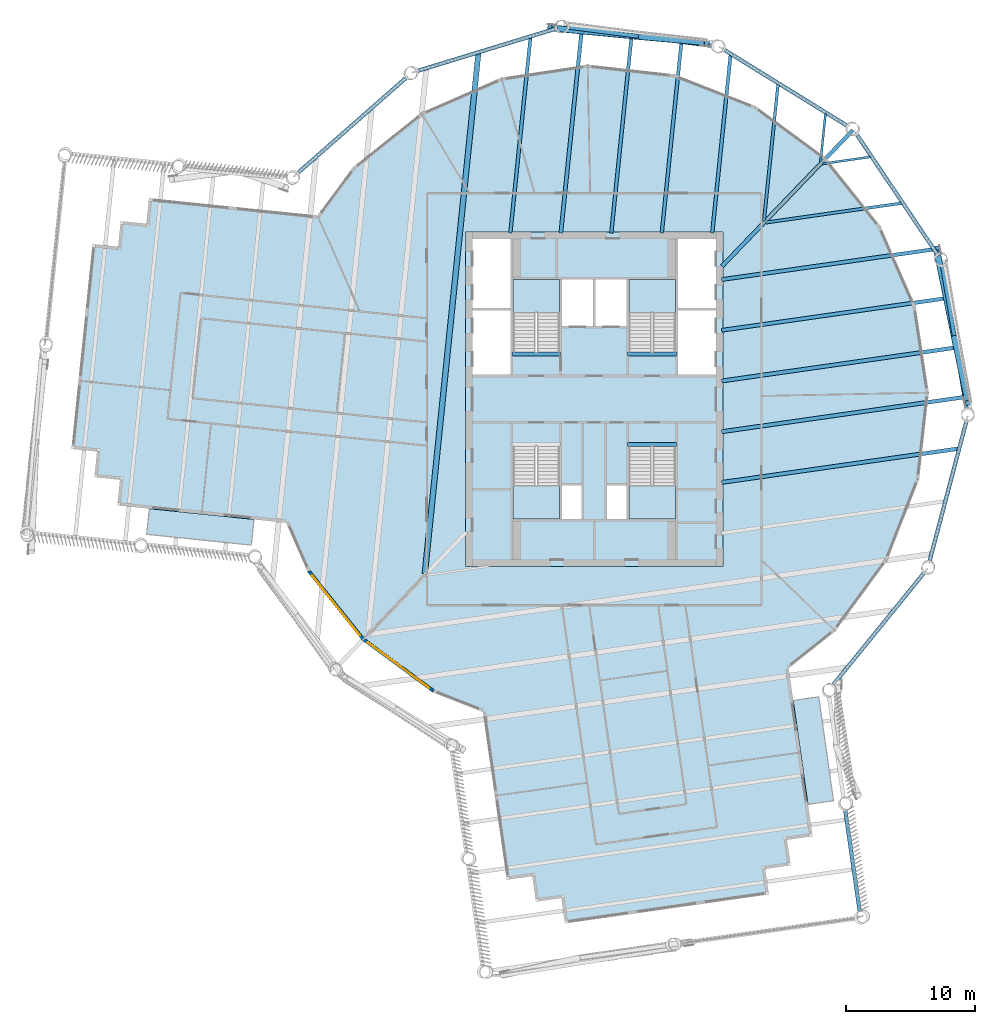
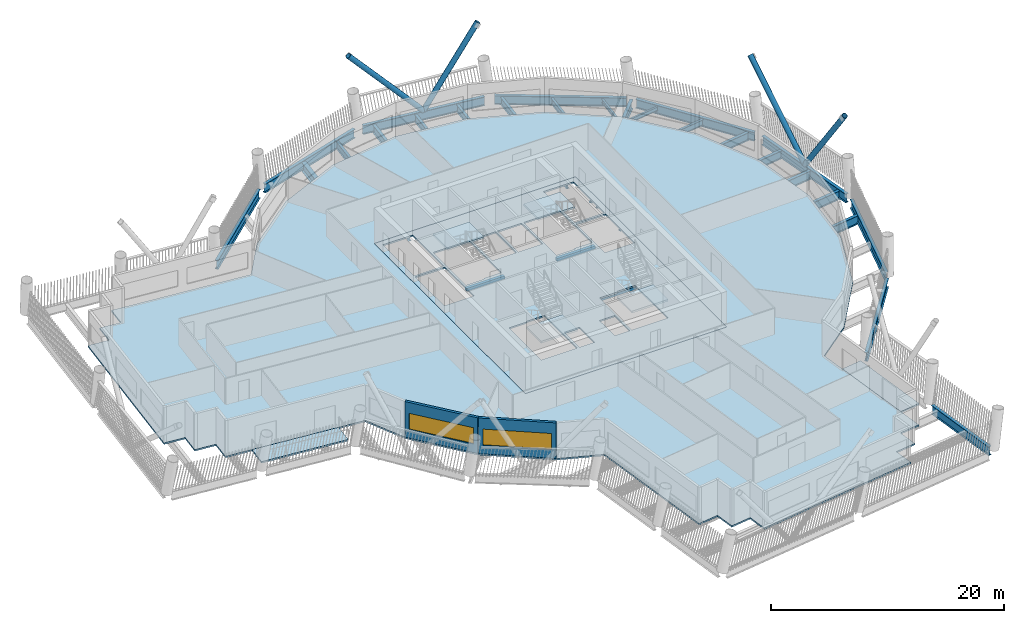
# One storey, part 2 of 22: 28 beams, 8 slabs, 4 members, 2 walls, 2 windows, 2 openings, 4 elements without a shape of their own.
"""IFC4 building model written with IfcOpenShell, lengths in metres."""

from ifc_helpers import new_model, si_unit, direction, frame, frame_2d, origin, origin_2d, place, context, subcontext, project, spatial, polyline, rectangle, hollow_circle, i_section, outline, extrude, material, layer, layer_set, material_profile, profile_set, type_object, element, fill, aggregate, save


model = new_model("IFC4")

# Units and contexts
model_context = context("Model", 3, precision=1e-05, world=origin(), true_north=direction((0.0, 1.0)))
body_context = subcontext(model_context, "Body", "Model", "MODEL_VIEW")
ifc_project = project(units=[si_unit("LENGTHUNIT", "METRE"), si_unit("AREAUNIT", "SQUARE_METRE"), si_unit("VOLUMEUNIT", "CUBIC_METRE"), si_unit("PLANEANGLEUNIT", "RADIAN"), si_unit("MASSUNIT", "GRAM", prefix="KILO")], contexts=[model_context])

# Site, building, storey
site_placement = place(None, origin())
site = spatial("IfcSite", under=ifc_project, at=site_placement, CompositionType="ELEMENT")
building_placement = place(site_placement, origin())
building = spatial("IfcBuilding", under=site, at=building_placement, Name="Tarsis Ring Headquarters", CompositionType="ELEMENT")
storey_placement = place(building_placement, frame((0.0, 0.0, 263.0)))
storey = spatial("IfcBuildingStorey", under=building, at=storey_placement, Name="L61", CompositionType="ELEMENT", Elevation=263.0)

# Beams
ifc_material_1 = material(Name="Structural steel S355", Category="steel")
ifc_material_profile_1 = material_profile(ifc_material_1, i_section(OverallWidth=0.177734375, OverallDepth=0.406494140625, WebThickness=0.0078125, FlangeThickness=0.0126953125, at=origin_2d()), Name="W16x40")
ifc_profile_set_1 = profile_set([ifc_material_profile_1], Name="Structural steel S355")
beam_type_1 = type_object("IfcBeamType", Name="FB Floor beam W16x40", PredefinedType="JOIST", material=ifc_profile_set_1)
for number, where, z_axis, x_axis, name in (
    (1, (17.713623046875, 18.285400390625, -0.36328125), (0.989978985412, 0.141214760006, 0.0), (-0.141214760006, 0.989978985412, 0.0), "Floor beam FB1"),
    (2, (17.96875, 22.199951171875, -0.36328125), (-0.102400045474, -0.99474329889, 0.0), (0.99474329889, -0.102400045474, 0.0), "Floor beam FB1"),
):
    element("IfcBeam", number, at=place(storey_placement, frame(where, z_axis=z_axis, x_axis=x_axis)), inside=storey, type_object=beam_type_1, Name=name, PredefinedType="JOIST", context=body_context, shape_type="SweptSolid", body=[
        extrude(i_section(OverallWidth=0.177734375, OverallDepth=0.406494140625, WebThickness=0.0078125, FlangeThickness=0.0126953125, at=origin_2d()), origin(), (0.0, 0.0, 1.0), 3.80517578125),
    ])
ifc_material_profile_2 = material_profile(ifc_material_1, i_section(OverallWidth=0.228271484375, OverallDepth=0.607177734375, WebThickness=0.01123046875, FlangeThickness=0.017333984375, at=origin_2d()), Name="W24x76")
ifc_profile_set_2 = profile_set([ifc_material_profile_2], Name="Structural steel S355")
beam_type_2 = type_object("IfcBeamType", Name="FB Floor beam W24x76", PredefinedType="JOIST", material=ifc_profile_set_2)
beam_1_placement = place(storey_placement, frame((13.32275390625, 13.71923828125, -0.463623046875), z_axis=(0.989973243065, 0.141255010586, 0.0), x_axis=(-0.141255010586, 0.989973243065, 0.0)))
element("IfcBeam", 3, at=beam_1_placement, inside=storey, type_object=beam_type_2, Name="Floor beam FB4", PredefinedType="JOIST", context=body_context, shape_type="SweptSolid", body=[
    extrude(i_section(OverallWidth=0.228271484375, OverallDepth=0.607177734375, WebThickness=0.01123046875, FlangeThickness=0.017333984375, at=origin_2d()), origin(), (0.0, 0.0, 1.0), 10.684814453125),
])
beam_2_placement = place(storey_placement, frame((14.28271484375, 24.477294921875, -0.463623046875), z_axis=(-0.1024352906, -0.994739670084, 0.0), x_axis=(0.994739670084, -0.1024352906, 0.0)))
element("IfcBeam", 4, at=beam_2_placement, inside=storey, type_object=beam_type_2, Name="Floor beam FB4", PredefinedType="JOIST", context=body_context, shape_type="SweptSolid", body=[
    extrude(i_section(OverallWidth=0.228271484375, OverallDepth=0.607177734375, WebThickness=0.01123046875, FlangeThickness=0.017333984375, at=origin_2d()), origin(), (0.0, 0.0, 1.0), 10.6845703125),
])
ifc_material_profile_3 = material_profile(ifc_material_1, i_section(OverallWidth=0.2666015625, OverallDepth=0.7568359375, WebThickness=0.013916015625, FlangeThickness=0.019287109375, at=origin_2d()), Name="W30x108")
ifc_profile_set_3 = profile_set([ifc_material_profile_3], Name="Structural steel S355")
beam_type_3 = type_object("IfcBeamType", Name="FB Floor beam W30x108", PredefinedType="JOIST", material=ifc_profile_set_3)
beam_3_placement = place(storey_placement, frame((10.5966796875, 26.754638671875, -0.538330078125), z_axis=(-0.102443410029, -0.994738833937, 0.0), x_axis=(0.994738833937, -0.102443410029, 0.0)))
element("IfcBeam", 5, at=beam_3_placement, inside=storey, type_object=beam_type_3, Name="Floor beam FB6", PredefinedType="JOIST", context=body_context, shape_type="SweptSolid", body=[
    extrude(i_section(OverallWidth=0.2666015625, OverallDepth=0.7568359375, WebThickness=0.013916015625, FlangeThickness=0.019287109375, at=origin_2d()), origin(), (0.0, 0.0, 1.0), 13.92724609375),
])
beam_4_placement = place(storey_placement, frame((6.7734375, 27.70068359375, -0.538330078125), z_axis=(-0.102442309559, -0.994738947268, 0.0), x_axis=(0.994738947268, -0.102442309559, 0.0)))
element("IfcBeam", 6, at=beam_4_placement, inside=storey, type_object=beam_type_3, Name="Floor beam FB6", PredefinedType="JOIST", context=body_context, shape_type="SweptSolid", body=[
    extrude(i_section(OverallWidth=0.2666015625, OverallDepth=0.7568359375, WebThickness=0.013916015625, FlangeThickness=0.019287109375, at=origin_2d()), origin(), (0.0, 0.0, 1.0), 14.87841796875),
])
beam_5_placement = place(storey_placement, frame((2.904296875, 28.200927734375, -0.538330078125), z_axis=(-0.1024420826, -0.994738970641, 0.0), x_axis=(0.994738970641, -0.1024420826, 0.0)))
element("IfcBeam", 7, at=beam_5_placement, inside=storey, type_object=beam_type_3, Name="Floor beam FB6", PredefinedType="JOIST", context=body_context, shape_type="SweptSolid", body=[
    extrude(i_section(OverallWidth=0.2666015625, OverallDepth=0.7568359375, WebThickness=0.013916015625, FlangeThickness=0.019287109375, at=origin_2d()), origin(), (0.0, 0.0, 1.0), 15.381103515625),
])
beam_6_placement = place(storey_placement, frame((-4.94580078125, 28.11376953125, -0.538330078125), z_axis=(-0.102454170456, -0.994737725713, 0.0), x_axis=(0.994737725713, -0.102454170456, 0.0)))
element("IfcBeam", 8, at=beam_6_placement, inside=storey, type_object=beam_type_3, Name="Floor beam FB6", PredefinedType="JOIST", context=body_context, shape_type="SweptSolid", body=[
    extrude(i_section(OverallWidth=0.2666015625, OverallDepth=0.7568359375, WebThickness=0.013916015625, FlangeThickness=0.019287109375, at=origin_2d()), origin(), (0.0, 0.0, 1.0), 15.293701171875),
])
ifc_material_profile_4 = material_profile(ifc_material_1, i_section(OverallWidth=0.2919921875, OverallDepth=0.835693359375, WebThickness=0.013916015625, FlangeThickness=0.018798828125, at=origin_2d()), Name="W33x118")
ifc_profile_set_4 = profile_set([ifc_material_profile_4], Name="Structural steel S355")
beam_type_4 = type_object("IfcBeamType", Name="FB Floor beam W33x118", PredefinedType="JOIST", material=ifc_profile_set_4)
beam_7_placement = place(storey_placement, frame((9.901123046875, 9.291748046875, -0.577880859375), z_axis=(0.989975090888, 0.141242059672, 0.0), x_axis=(-0.141242059672, 0.989975090888, 0.0)))
element("IfcBeam", 9, at=beam_7_placement, inside=storey, type_object=beam_type_4, Name="Floor beam FB7", PredefinedType="JOIST", context=body_context, shape_type="SweptSolid", body=[
    extrude(i_section(OverallWidth=0.2919921875, OverallDepth=0.835693359375, WebThickness=0.013916015625, FlangeThickness=0.018798828125, at=origin_2d()), origin(), (0.0, 0.0, 1.0), 16.585205078125),
])
beam_8_placement = place(storey_placement, frame((9.901123046875, 5.35205078125, -0.577880859375), z_axis=(0.98997266473, 0.141259063736, 0.0), x_axis=(-0.141259063736, 0.98997266473, 0.0)))
element("IfcBeam", 10, at=beam_8_placement, inside=storey, type_object=beam_type_4, Name="Floor beam FB7", PredefinedType="JOIST", context=body_context, shape_type="SweptSolid", body=[
    extrude(i_section(OverallWidth=0.2919921875, OverallDepth=0.835693359375, WebThickness=0.013916015625, FlangeThickness=0.018798828125, at=origin_2d()), origin(), (0.0, 0.0, 1.0), 17.691162109375),
])
beam_9_placement = place(storey_placement, frame((-0.96484375, 28.701171875, -0.577880859375), z_axis=(-0.102441870011, -0.994738992535, 0.0), x_axis=(0.994738992535, -0.102441870011, 0.0)))
element("IfcBeam", 11, at=beam_9_placement, inside=storey, type_object=beam_type_4, Name="Floor beam FB7", PredefinedType="JOIST", context=body_context, shape_type="SweptSolid", body=[
    extrude(i_section(OverallWidth=0.2919921875, OverallDepth=0.835693359375, WebThickness=0.013916015625, FlangeThickness=0.018798828125, at=origin_2d()), origin(), (0.0, 0.0, 1.0), 15.884033203125),
])
ifc_material_profile_5 = material_profile(ifc_material_1, i_section(OverallWidth=0.3046875, OverallDepth=0.904296875, WebThickness=0.01513671875, FlangeThickness=0.02001953125, at=origin_2d()), Name="W36x135")
ifc_profile_set_5 = profile_set([ifc_material_profile_5], Name="Structural steel S355")
beam_type_5 = type_object("IfcBeamType", Name="FB Floor beam W36x135", PredefinedType="JOIST", material=ifc_profile_set_5)
beam_10_placement = place(storey_placement, frame((9.901123046875, 1.41259765625, -0.612060546875), z_axis=(0.98997369527, 0.14125184131, 0.0), x_axis=(-0.14125184131, 0.98997369527, 0.0)))
element("IfcBeam", 12, at=beam_10_placement, inside=storey, type_object=beam_type_5, Name="Floor beam FB8", PredefinedType="JOIST", context=body_context, shape_type="SweptSolid", body=[
    extrude(i_section(OverallWidth=0.3046875, OverallDepth=0.904296875, WebThickness=0.01513671875, FlangeThickness=0.02001953125, at=origin_2d()), origin(), (0.0, 0.0, 1.0), 18.348876953125),
])
beam_11_placement = place(storey_placement, frame((9.901123046875, -2.52685546875, -0.612060546875), z_axis=(0.989974654441, 0.141245118726, 0.0), x_axis=(-0.141245118726, 0.989974654441, 0.0)))
element("IfcBeam", 13, at=beam_11_placement, inside=storey, type_object=beam_type_5, Name="Floor beam FB8", PredefinedType="JOIST", context=body_context, shape_type="SweptSolid", body=[
    extrude(i_section(OverallWidth=0.3046875, OverallDepth=0.904296875, WebThickness=0.01513671875, FlangeThickness=0.02001953125, at=origin_2d()), origin(), (0.0, 0.0, 1.0), 19.00634765625),
])
beam_12_placement = place(storey_placement, frame((9.901123046875, -6.46630859375, -0.612060546875), z_axis=(0.98997445666, 0.141246504951, 0.0), x_axis=(-0.141246504951, 0.98997445666, 0.0)))
element("IfcBeam", 14, at=beam_12_placement, inside=storey, type_object=beam_type_5, Name="Floor beam FB8", PredefinedType="JOIST", context=body_context, shape_type="SweptSolid", body=[
    extrude(i_section(OverallWidth=0.3046875, OverallDepth=0.904296875, WebThickness=0.01513671875, FlangeThickness=0.02001953125, at=origin_2d()), origin(), (0.0, 0.0, 1.0), 18.57080078125),
])
ifc_material_profile_6 = material_profile(ifc_material_1, i_section(OverallWidth=0.309814453125, OverallDepth=0.949951171875, WebThickness=0.0244140625, FlangeThickness=0.0439453125, at=origin_2d()), Name="W36x256")
ifc_profile_set_6 = profile_set([ifc_material_profile_6], Name="Structural steel S355")
beam_type_6 = type_object("IfcBeamType", Name="FB Floor beam W36x256 spine", PredefinedType="BEAM", material=ifc_profile_set_6)
beam_13_placement = place(storey_placement, frame((20.094482421875, 20.895751953125, -0.635009765625), z_axis=(-0.693152304212, -0.720791150865, 0.0), x_axis=(0.720791150865, -0.693152304212, 0.0)))
element("IfcBeam", 15, at=beam_13_placement, inside=storey, type_object=beam_type_6, Name="Floor beam SB11", PredefinedType="BEAM", context=body_context, shape_type="SweptSolid", body=[
    extrude(i_section(OverallWidth=0.309814453125, OverallDepth=0.949951171875, WebThickness=0.0244140625, FlangeThickness=0.0439453125, at=origin_2d()), origin(), (0.0, 0.0, 1.0), 14.6630859375),
])
ifc_material_profile_7 = material_profile(ifc_material_1, i_section(OverallWidth=0.42431640625, OverallDepth=0.947509765625, WebThickness=0.02392578125, FlangeThickness=0.042724609375, at=origin_2d()), Name="W36x302")
ifc_profile_set_7 = profile_set([ifc_material_profile_7], Name="Structural steel S355")
beam_type_7 = type_object("IfcBeamType", Name="FB Floor beam W36x302", PredefinedType="JOIST", material=ifc_profile_set_7)
beam_14_placement = place(storey_placement, frame((-8.993896484375, 26.8779296875, -0.6337890625), z_axis=(-0.102441045462, -0.994739077449, 0.0), x_axis=(0.994739077449, -0.102441045462, 0.0)))
element("IfcBeam", 16, at=beam_14_placement, inside=storey, type_object=beam_type_7, Name="Floor beam FB12", PredefinedType="JOIST", context=body_context, shape_type="SweptSolid", body=[
    extrude(i_section(OverallWidth=0.42431640625, OverallDepth=0.947509765625, WebThickness=0.02392578125, FlangeThickness=0.042724609375, at=origin_2d()), origin(), (0.0, 0.0, 1.0), 40.638916015625),
])
ifc_material_2 = material(Name="Concrete C40/50", Category="concrete")
ifc_material_profile_8 = material_profile(ifc_material_2, rectangle(XDim=0.300048828125, YDim=0.300048828125, at=origin_2d()), Name="Stair head beam 300x300 C40/50")
ifc_profile_set_8 = profile_set([ifc_material_profile_8], Name="Concrete C40/50")
beam_type_8 = type_object("IfcBeamType", Name="Stair head beam 300x300 C40/50", PredefinedType="BEAM", material=ifc_profile_set_8)
for number, where, z_axis, x_axis, name in (
    (17, (-6.39990234375, 3.510009765625, -0.31005859375), (1.0, 0.0, 0.0), (0.0, 1.0, 0.0), "Stair head beam L61 Firefighting stair"),
    (18, (2.60009765625, 3.510009765625, -0.31005859375), (1.0, 0.0, 0.0), (0.0, 1.0, 0.0), "Stair head beam L61 Exit stair B"),
    (19, (2.60009765625, -3.510009765625, -0.31005859375), (1.0, 0.0, 0.0), (0.0, 1.0, 0.0), "Stair head beam L61 Exit stair D"),
):
    element("IfcBeam", number, at=place(storey_placement, frame(where, z_axis=z_axis, x_axis=x_axis)), inside=storey, type_object=beam_type_8, Name=name, PredefinedType="BEAM", context=body_context, shape_type="SweptSolid", body=[
        extrude(rectangle(XDim=0.300048828125, YDim=0.300048828125, at=origin_2d()), origin(), (0.0, 0.0, 1.0), 3.7998046875),
    ])

# Members
ifc_material_profile_9 = material_profile(ifc_material_1, hollow_circle(Radius=0.25390625, WallThickness=0.02001953125, at=origin_2d()), Name="CHS 508x20")
ifc_profile_set_9 = profile_set([ifc_material_profile_9], Name="Structural steel S355")
member_type = type_object("IfcMemberType", Name="XD X brace CHS 508x20", PredefinedType="BRACE", material=ifc_profile_set_9)
member_1_placement = place(storey_placement, frame((27.997314453125, 4.738525390625, 0.0), z_axis=(-0.133979948008, 0.660488307726, 0.738785874857), x_axis=(-0.980039890993, -0.19880093577, 0.0)))
element("IfcMember", 20, at=member_1_placement, inside=storey, type_object=member_type, Name="X brace XD2", PredefinedType="BRACE", context=body_context, shape_type="SweptSolid", body=[
    extrude(hollow_circle(Radius=0.25390625, WallThickness=0.02001953125, at=origin_2d()), origin(), (0.0, 0.0, 1.0), 10.557861328125),
])
member_2_placement = place(storey_placement, frame((27.997314453125, 4.738525390625, 0.0), z_axis=(0.112426568337, -0.538131076633, 0.835329402747), x_axis=(0.978865521071, 0.20450499177, 0.0)))
element("IfcMember", 21, at=member_2_placement, inside=storey, type_object=member_type, Name="X brace XD2", PredefinedType="BRACE", context=body_context, shape_type="SweptSolid", body=[
    extrude(hollow_circle(Radius=0.25390625, WallThickness=0.02001953125, at=origin_2d()), origin(), (0.0, 0.0, 1.0), 9.337646484375),
])
member_3_placement = place(storey_placement, frame((3.640625, 28.1611328125, 0.0), z_axis=(-0.670826865965, 0.064677791937, 0.738788264071), x_axis=(-0.095969999404, -0.995384226927, 0.0)))
element("IfcMember", 22, at=member_3_placement, inside=storey, type_object=member_type, Name="X brace XD2", PredefinedType="BRACE", context=body_context, shape_type="SweptSolid", body=[
    extrude(hollow_circle(Radius=0.25390625, WallThickness=0.02001953125, at=origin_2d()), origin(), (0.0, 0.0, 1.0), 10.557861328125),
])
member_4_placement = place(storey_placement, frame((3.640625, 28.1611328125, 0.0), z_axis=(0.547515222033, -0.049572076834, 0.835326098503), x_axis=(0.09017125339, 0.995926274913, 0.0)))
element("IfcMember", 23, at=member_4_placement, inside=storey, type_object=member_type, Name="X brace XD2", PredefinedType="BRACE", context=body_context, shape_type="SweptSolid", body=[
    extrude(hollow_circle(Radius=0.25390625, WallThickness=0.02001953125, at=origin_2d()), origin(), (0.0, 0.0, 1.0), 9.337646484375),
])

# Beams
ifc_material_profile_10 = material_profile(ifc_material_1, i_section(OverallWidth=0.309814453125, OverallDepth=0.93212890625, WebThickness=0.02099609375, FlangeThickness=0.034423828125, at=origin_2d()), Name="W36x210")
ifc_profile_set_10 = profile_set([ifc_material_profile_10], Name="Structural steel S355")
beam_type_9 = type_object("IfcBeamType", Name="XG Ring girder W36x210", PredefinedType="BEAM", material=ifc_profile_set_10)
beam_15_placement = place(storey_placement, frame((20.63232421875, -39.827880859375, -0.466064453125), z_axis=(-0.141237357065, 0.989975761809, 0.0), x_axis=(-0.989975761809, -0.141237357065, 0.0)))
element("IfcBeam", 24, at=beam_15_placement, inside=storey, type_object=beam_type_9, Name="Ring girder XG3", PredefinedType="BEAM", context=body_context, shape_type="SweptSolid", body=[
    extrude(i_section(OverallWidth=0.309814453125, OverallDepth=0.93212890625, WebThickness=0.02099609375, FlangeThickness=0.034423828125, at=origin_2d()), origin(), (0.0, 0.0, 1.0), 7.98779296875),
])
for number, where, z_axis, x_axis, name in (
    (25, (18.470458984375, -22.299560546875, -0.466064453125), (0.630378522622, 0.776287909359, 0.0), (-0.776287909359, 0.630378522622, 0.0), "Ring girder XG3"),
    (26, (26.02001953125, -12.703857421875, -0.466064453125), (0.254361826888, 0.967109125705, 0.0), (-0.967109125705, 0.254361826888, 0.0), "Ring girder XG3"),
    (27, (28.943115234375, -0.84912109375, -0.466064453125), (-0.166867968294, 0.985979249861, 0.0), (-0.985979249861, -0.166867968294, 0.0), "Ring girder XG3"),
    (28, (26.719970703125, 11.15625, -0.466064453125), (-0.558442504997, 0.829543228899, 0.0), (-0.829543228899, -0.558442504997, 0.0), "Ring girder XG3"),
    (29, (19.74609375, 21.17822265625, -0.466064453125), (-0.850726613574, 0.525608436916, 0.0), (-0.525608436916, -0.850726613574, 0.0), "Ring girder XG3"),
):
    element("IfcBeam", number, at=place(storey_placement, frame(where, z_axis=z_axis, x_axis=x_axis)), inside=storey, type_object=beam_type_9, Name=name, PredefinedType="BEAM", context=body_context, shape_type="SweptSolid", body=[
        extrude(i_section(OverallWidth=0.309814453125, OverallDepth=0.93212890625, WebThickness=0.02099609375, FlangeThickness=0.034423828125, at=origin_2d()), origin(), (0.0, 0.0, 1.0), 11.33447265625),
    ])
beam_16_placement = place(storey_placement, frame((9.260986328125, 27.4345703125, -0.466064453125), z_axis=(-0.991747501894, 0.128206444795, 0.0), x_axis=(-0.128206444795, -0.991747501894, 0.0)))
element("IfcBeam", 30, at=beam_16_placement, inside=storey, type_object=beam_type_9, Name="Ring girder XG3", PredefinedType="BEAM", context=body_context, shape_type="SweptSolid", body=[
    extrude(i_section(OverallWidth=0.309814453125, OverallDepth=0.93212890625, WebThickness=0.02099609375, FlangeThickness=0.034423828125, at=origin_2d()), origin(), (0.0, 0.0, 1.0), 11.334228515625),
])
beam_17_placement = place(storey_placement, frame((-2.87060546875, 28.81298828125, -0.466064453125), z_axis=(-0.956427285093, -0.291970629224, 0.0), x_axis=(0.291970629224, -0.956427285093, 0.0)))
element("IfcBeam", 31, at=beam_17_placement, inside=storey, type_object=beam_type_9, Name="Ring girder XG3", PredefinedType="BEAM", context=body_context, shape_type="SweptSolid", body=[
    extrude(i_section(OverallWidth=0.309814453125, OverallDepth=0.93212890625, WebThickness=0.02099609375, FlangeThickness=0.034423828125, at=origin_2d()), origin(), (0.0, 0.0, 1.0), 11.33447265625),
])
beam_18_placement = place(storey_placement, frame((-14.49169921875, 25.068115234375, -0.466064453125), z_axis=(-0.751053549873, -0.660241293183, 0.0), x_axis=(0.660241293183, -0.751053549873, 0.0)))
element("IfcBeam", 32, at=beam_18_placement, inside=storey, type_object=beam_type_9, Name="Ring girder XG3", PredefinedType="BEAM", context=body_context, shape_type="SweptSolid", body=[
    extrude(i_section(OverallWidth=0.309814453125, OverallDepth=0.93212890625, WebThickness=0.02099609375, FlangeThickness=0.034423828125, at=origin_2d()), origin(), (0.0, 0.0, 1.0), 11.334228515625),
])

# Slabs
ifc_layer_1 = layer(ifc_material_2, 0.159912109375)
ifc_layer_set_1 = layer_set([ifc_layer_1], Name="Balcony slab concrete C40/50")
slab_type_1 = type_object("IfcSlabType", Name="Balcony slab concrete C40/50", PredefinedType="FLOOR", material=ifc_layer_set_1)
slab_1_placement = place(storey_placement, frame((0.0, 0.0, -0.159912109375)))
element("IfcSlab", 33, at=slab_1_placement, inside=storey, type_object=slab_type_1, Name="Balcony slab L61-01", PredefinedType="FLOOR", context=body_context, shape_type="SweptSolid", body=[
    extrude(outline(polyline([(-34.552978515625, -8.5048828125), (-34.758056640625, -10.494384765625), (-26.62890625, -11.33154296875), (-26.424072265625, -9.342041015625), (-34.552978515625, -8.5048828125)])), origin(), (0.0, 0.0, 1.0), 0.159912109375),
])
slab_2_placement = place(storey_placement, frame((0.0, 0.0, -0.159912109375)))
element("IfcSlab", 34, at=slab_2_placement, inside=storey, type_object=slab_type_1, Name="Balcony slab L61-16", PredefinedType="FLOOR", context=body_context, shape_type="SweptSolid", body=[
    extrude(outline(polyline([(16.611572265625, -31.46923828125), (18.59130859375, -31.186767578125), (17.440185546875, -23.1171875), (15.460205078125, -23.399658203125), (16.611572265625, -31.46923828125)])), origin(), (0.0, 0.0, 1.0), 0.159912109375),
])
ifc_layer_2 = layer(ifc_material_2, 0.159912109375)
ifc_layer_set_2 = layer_set([ifc_layer_2], Name="Core floor slab 160 C40/50")
slab_type_2 = type_object("IfcSlabType", Name="Core floor slab 160 C40/50", PredefinedType="FLOOR", material=ifc_layer_set_2)
slab_3_placement = place(storey_placement, frame((0.0, 0.0, -0.159912109375)))
element("IfcSlab", 35, at=slab_3_placement, inside=storey, type_object=slab_type_2, Name="L61 core floor slab", PredefinedType="FLOOR", context=body_context, shape_type="SweptSolid", body=[
    extrude(outline(polyline([(-10.0, -13.0), (10.0, -13.0), (10.0, 13.0), (-10.0, 13.0), (-10.0, -13.0)]), holes=[polyline([(-2.5, 5.699951171875), (-0.10009765625, 5.699951171875), (-0.10009765625, 9.300048828125), (-2.5, 9.300048828125), (-2.5, 5.699951171875)]), polyline([(0.10009765625, 5.699951171875), (2.5, 5.699951171875), (2.5, 9.300048828125), (0.10009765625, 9.300048828125), (0.10009765625, 5.699951171875)]), polyline([(-9.449951171875, 1.89990234375), (-6.5, 1.89990234375), (-6.5, 6.89990234375), (-9.449951171875, 6.89990234375), (-9.449951171875, 1.89990234375)]), polyline([(-9.449951171875, 7.10009765625), (-6.5, 7.10009765625), (-6.5, 12.449951171875), (-9.449951171875, 12.449951171875), (-9.449951171875, 7.10009765625)]), polyline([(6.5, 1.89990234375), (9.449951171875, 1.89990234375), (9.449951171875, 6.89990234375), (6.5, 6.89990234375), (6.5, 1.89990234375)]), polyline([(6.5, 7.10009765625), (9.449951171875, 7.10009765625), (9.449951171875, 12.449951171875), (6.5, 12.449951171875), (6.5, 7.10009765625)]), polyline([(-2.5, -9.300048828125), (-1.0, -9.300048828125), (-1.0, -6.699951171875), (-2.5, -6.699951171875), (-2.5, -9.300048828125)]), polyline([(1.0, -9.300048828125), (2.5, -9.300048828125), (2.5, -6.699951171875), (1.0, -6.699951171875), (1.0, -9.300048828125)]), polyline([(-2.699951171875, 3.760009765625), (-2.699951171875, 9.300048828125), (-6.300048828125, 9.300048828125), (-6.300048828125, 3.659912109375), (-4.4599609375, 3.659912109375), (-4.4599609375, 3.760009765625), (-2.699951171875, 3.760009765625)]), polyline([(6.300048828125, 3.760009765625), (6.300048828125, 9.300048828125), (2.699951171875, 9.300048828125), (2.699951171875, 3.659912109375), (4.5400390625, 3.659912109375), (4.5400390625, 3.760009765625), (6.300048828125, 3.760009765625)]), polyline([(-6.300048828125, -3.760009765625), (-6.300048828125, -9.300048828125), (-2.699951171875, -9.300048828125), (-2.699951171875, -3.659912109375), (-4.5400390625, -3.659912109375), (-4.5400390625, -3.760009765625), (-6.300048828125, -3.760009765625)]), polyline([(2.699951171875, -3.760009765625), (2.699951171875, -9.300048828125), (6.300048828125, -9.300048828125), (6.300048828125, -3.659912109375), (4.4599609375, -3.659912109375), (4.4599609375, -3.760009765625), (2.699951171875, -3.760009765625)])]), origin(), (0.0, 0.0, 1.0), 0.159912109375),
])

# Stair, slab
ifc_material_3 = material(Name="Core stair 1760")
stair_type = type_object("IfcStairType", Name="Core stair 1760", PredefinedType="HALF_TURN_STAIR", material=ifc_material_3)
stair_1_placement = place(storey_placement, origin())
stair_1 = element("IfcStair", 36, at=stair_1_placement, inside=storey, type_object=stair_type, Name="L61 Firefighting stair", PredefinedType="HALF_TURN_STAIR")
ifc_layer_3 = layer(ifc_material_2, 0.199951171875)
ifc_layer_set_3 = layer_set([ifc_layer_3], Name="Core stair landing 200")
slab_type_3 = type_object("IfcSlabType", Name="Core stair landing 200", PredefinedType="LANDING", material=ifc_layer_set_3)
slab_4_placement = place(storey_placement, frame((0.0, 0.0, 1.75)))
slab_4 = element("IfcSlab", 37, at=slab_4_placement, type_object=slab_type_3, Name="Stair ST1 landing 1", PredefinedType="LANDING", context=body_context, shape_type="SweptSolid", body=[
    extrude(outline(polyline([(-2.699951171875, 6.739990234375), (-2.699951171875, 9.300048828125), (-6.300048828125, 9.300048828125), (-6.300048828125, 6.739990234375), (-2.699951171875, 6.739990234375)])), origin(), (0.0, 0.0, 1.0), 0.199951171875),
])
aggregate(stair_1, [slab_4])

stair_2_placement = place(storey_placement, origin())
stair_2 = element("IfcStair", 38, at=stair_2_placement, inside=storey, type_object=stair_type, Name="L61 Exit stair B", PredefinedType="HALF_TURN_STAIR")
slab_5_placement = place(storey_placement, frame((0.0, 0.0, 1.75)))
slab_5 = element("IfcSlab", 39, at=slab_5_placement, type_object=slab_type_3, Name="Stair ST2 landing 1", PredefinedType="LANDING", context=body_context, shape_type="SweptSolid", body=[
    extrude(outline(polyline([(6.300048828125, 6.739990234375), (6.300048828125, 9.300048828125), (2.699951171875, 9.300048828125), (2.699951171875, 6.739990234375), (6.300048828125, 6.739990234375)])), origin(), (0.0, 0.0, 1.0), 0.199951171875),
])
aggregate(stair_2, [slab_5])

stair_3_placement = place(storey_placement, origin())
stair_3 = element("IfcStair", 40, at=stair_3_placement, inside=storey, type_object=stair_type, Name="L61 Exit stair C", PredefinedType="HALF_TURN_STAIR")
slab_6_placement = place(storey_placement, frame((0.0, 0.0, 1.75)))
slab_6 = element("IfcSlab", 41, at=slab_6_placement, type_object=slab_type_3, Name="Stair ST3 landing 1", PredefinedType="LANDING", context=body_context, shape_type="SweptSolid", body=[
    extrude(outline(polyline([(-6.300048828125, -6.739990234375), (-6.300048828125, -9.300048828125), (-2.699951171875, -9.300048828125), (-2.699951171875, -6.739990234375), (-6.300048828125, -6.739990234375)])), origin(), (0.0, 0.0, 1.0), 0.199951171875),
])
aggregate(stair_3, [slab_6])

stair_4_placement = place(storey_placement, origin())
stair_4 = element("IfcStair", 42, at=stair_4_placement, inside=storey, type_object=stair_type, Name="L61 Exit stair D", PredefinedType="HALF_TURN_STAIR")
slab_7_placement = place(storey_placement, frame((0.0, 0.0, 1.75)))
slab_7 = element("IfcSlab", 43, at=slab_7_placement, type_object=slab_type_3, Name="Stair ST4 landing 1", PredefinedType="LANDING", context=body_context, shape_type="SweptSolid", body=[
    extrude(outline(polyline([(2.699951171875, -6.739990234375), (2.699951171875, -9.300048828125), (6.300048828125, -9.300048828125), (6.300048828125, -6.739990234375), (2.699951171875, -6.739990234375)])), origin(), (0.0, 0.0, 1.0), 0.199951171875),
])
aggregate(stair_4, [slab_7])

# Slab
ifc_material_4 = material(Name="Concrete C35/45", Category="concrete")
ifc_layer_4 = layer(ifc_material_4, 0.159912109375)
ifc_layer_set_4 = layer_set([ifc_layer_4], Name="FS Composite floor slab 160")
slab_type_4 = type_object("IfcSlabType", Name="FS Composite floor slab 160", PredefinedType="FLOOR", material=ifc_layer_set_4)
slab_8_placement = place(storey_placement, frame((0.0, 0.0, -0.159912109375)))
element("IfcSlab", 44, at=slab_8_placement, inside=storey, type_object=slab_type_4, Name="Floor slab L61", PredefinedType="FLOOR", context=body_context, shape_type="SweptSolid", body=[
    extrude(outline(polyline([(-23.937255859375, -9.59814453125), (-22.25830078125, -13.437744140625), (-18.02197265625, -18.74072265625), (-12.557373046875, -22.766357421875), (-8.6552734375, -24.294189453125), (-6.794921875, -37.333984375), (-4.81494140625, -37.051513671875), (-4.532470703125, -39.031494140625), (-2.552490234375, -38.7490234375), (-2.27001953125, -40.72900390625), (13.569580078125, -38.468994140625), (13.287109375, -36.489013671875), (15.26708984375, -36.20654296875), (14.984619140625, -34.2265625), (16.964599609375, -33.944091796875), (15.10693359375, -20.924560546875), (18.74072265625, -18.02197265625), (22.766357421875, -12.557373046875), (25.24072265625, -6.237060546875), (25.9951171875, 0.50830078125), (24.977783203125, 7.218994140625), (22.25830078125, 13.437744140625), (18.02197265625, 18.74072265625), (12.557373046875, 22.766357421875), (6.237060546875, 25.24072265625), (-0.50830078125, 25.9951171875), (-7.218994140625, 24.977783203125), (-13.437744140625, 22.25830078125), (-18.74072265625, 18.02197265625), (-21.4990234375, 14.277587890625), (-34.581298828125, 15.625), (-34.7861328125, 13.635498046875), (-36.775634765625, 13.84033203125), (-36.98046875, 11.850830078125), (-38.969970703125, 12.0556640625), (-40.609130859375, -3.860107421875), (-38.61962890625, -4.06494140625), (-38.824462890625, -6.054443359375), (-36.8349609375, -6.25927734375), (-37.0400390625, -8.248779296875), (-23.937255859375, -9.59814453125)]), holes=[polyline([(-10.0, -13.0), (-10.0, 13.0), (10.0, 13.0), (10.0, -13.0), (-10.0, -13.0)])]), origin(), (0.0, 0.0, 1.0), 0.159912109375),
])

# Wall, opening, window
ifc_material_5 = material(Name="Terracotta clad insulated panel wall", Category="masonry")
ifc_layer_5 = layer(ifc_material_5, 0.25)
ifc_layer_set_5 = layer_set([ifc_layer_5], Name="Facade wall terracotta panel 250")
wall_type = type_object("IfcWallType", Name="Facade wall terracotta panel 250", PredefinedType="STANDARD", material=ifc_layer_set_5)
wall_1_placement = place(storey_placement, frame((-22.14013671875, -13.38525390625, 0.0), z_axis=(0.0, 0.0, 1.0), x_axis=(0.624145643721, -0.781308015717, 0.0)))
wall_1 = element("IfcWall", 45, at=wall_1_placement, inside=storey, type_object=wall_type, Name="External wall L61-03", PredefinedType="STANDARD", context=body_context, shape_type="SweptSolid", body=[
    extrude(rectangle(XDim=6.7216796875, YDim=0.25, at=frame_2d((3.36083984375, 0.0))), origin(), (0.0, 0.0, 1.0), 3.739990234375),
])
opening_1_placement = place(wall_1_placement, frame((0.3857421875, 0.0, 0.89990234375)))
opening_1 = element("IfcOpeningElement", 46, at=opening_1_placement, cuts=wall_1, Name="Opening WN07", PredefinedType="OPENING", context=body_context, shape_type="SweptSolid", body=[
    extrude(rectangle(XDim=5.949951171875, YDim=1.699951171875, at=frame_2d((2.97509765625, 0.85009765625))), frame((0.0, 0.135009765625, 0.0), z_axis=(0.0, -1.0, 0.0), x_axis=(1.0, 0.0, 0.0)), (0.0, 0.0, 1.0), 0.27001953125),
])
ifc_material_6 = material(Name="Aluminium framed double glazing", Category="aluminium")
window_type = type_object("IfcWindowType", Name="Facade window 5950 x 1700", PartitioningType="SINGLE_PANEL", PredefinedType="WINDOW", material=ifc_material_6)
window_1_placement = place(opening_1_placement, origin())
window_1 = element("IfcWindow", 47, at=window_1_placement, inside=storey, type_object=window_type, Name="Window L61-03.1", OverallHeight=1.699951171875, OverallWidth=5.949951171875, PartitioningType="SINGLE_PANEL", PredefinedType="WINDOW", context=body_context, shape_type="SweptSolid", body=[
    extrude(rectangle(XDim=5.949951171875, YDim=1.699951171875, at=frame_2d((2.97509765625, 0.85009765625))), frame((0.0, 0.030029296875, 0.0), z_axis=(0.0, -1.0, 0.0), x_axis=(1.0, 0.0, 0.0)), (0.0, 0.0, 1.0), 0.06005859375),
])
fill(opening_1, window_1)

wall_2_placement = place(storey_placement, frame((-17.92138671875, -18.659423828125, 0.0), z_axis=(0.0, 0.0, 1.0), x_axis=(0.805105132865, -0.593132131177, 0.0)))
wall_2 = element("IfcWall", 48, at=wall_2_placement, inside=storey, type_object=wall_type, Name="External wall L61-04", PredefinedType="STANDARD", context=body_context, shape_type="SweptSolid", body=[
    extrude(rectangle(XDim=6.7216796875, YDim=0.25, at=frame_2d((3.36083984375, 0.0))), origin(), (0.0, 0.0, 1.0), 3.739990234375),
])
opening_2_placement = place(wall_2_placement, frame((0.3857421875, 0.0, 0.89990234375)))
opening_2 = element("IfcOpeningElement", 49, at=opening_2_placement, cuts=wall_2, Name="Opening WN07", PredefinedType="OPENING", context=body_context, shape_type="SweptSolid", body=[
    extrude(rectangle(XDim=5.949951171875, YDim=1.699951171875, at=frame_2d((2.97509765625, 0.85009765625))), frame((0.0, 0.135009765625, 0.0), z_axis=(0.0, -1.0, 0.0), x_axis=(1.0, 0.0, 0.0)), (0.0, 0.0, 1.0), 0.27001953125),
])
window_2_placement = place(opening_2_placement, origin())
window_2 = element("IfcWindow", 50, at=window_2_placement, inside=storey, type_object=window_type, Name="Window L61-04.1", OverallHeight=1.699951171875, OverallWidth=5.949951171875, PartitioningType="SINGLE_PANEL", PredefinedType="WINDOW", context=body_context, shape_type="SweptSolid", body=[
    extrude(rectangle(XDim=5.949951171875, YDim=1.699951171875, at=frame_2d((2.97509765625, 0.85009765625))), frame((0.0, 0.030029296875, 0.0), z_axis=(0.0, -1.0, 0.0), x_axis=(1.0, 0.0, 0.0)), (0.0, 0.0, 1.0), 0.06005859375),
])
fill(opening_2, window_2)

save(model, "model.ifc")
